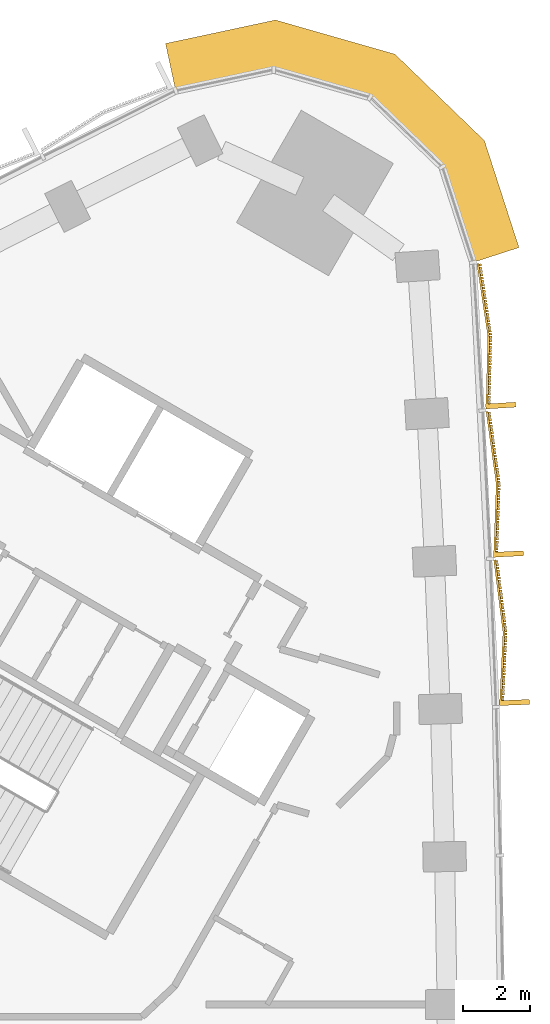
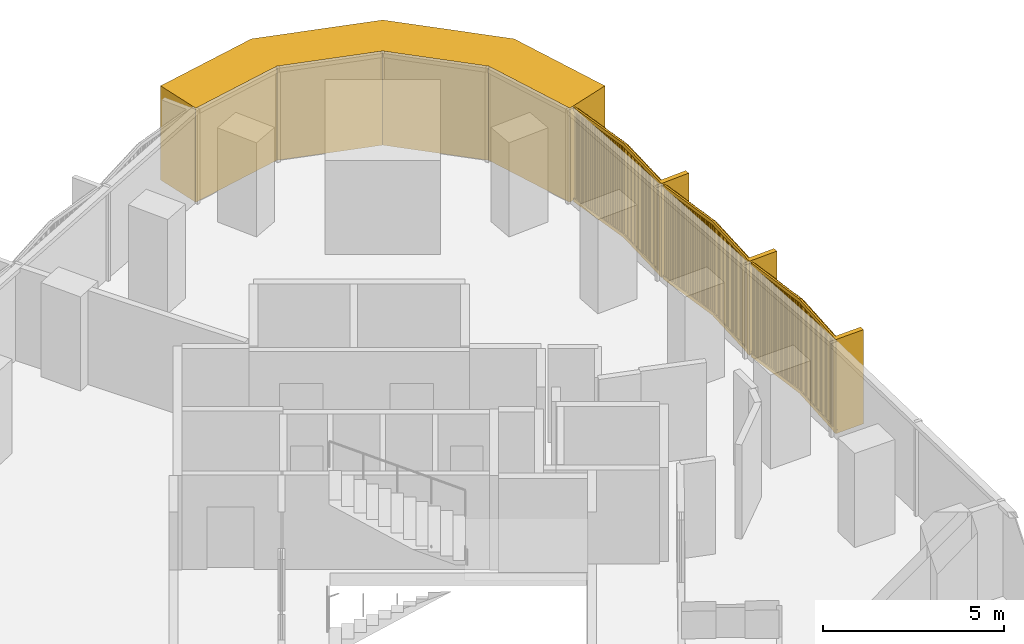
# One storey, part 15 of 15: 4 coverings.
"""IFC4 building model written with IfcOpenShell, lengths in metres."""

from ifc_helpers import new_model, si_unit, direction, frame, frame_2d, origin, place, context, subcontext, project, spatial, polyline, rectangle, outline, extrude, source, transform, mapped, material, layer, layer_set, type_object, element, save


model = new_model("IFC4")

# Units and contexts
model_context = context("Model", 3, precision=1e-05, world=origin(), true_north=direction((0.0, 1.0)))
body_context = subcontext(model_context, "Body", "Model", "MODEL_VIEW")
ifc_project = project(units=[si_unit("LENGTHUNIT", "METRE"), si_unit("AREAUNIT", "SQUARE_METRE"), si_unit("VOLUMEUNIT", "CUBIC_METRE"), si_unit("PLANEANGLEUNIT", "RADIAN"), si_unit("MASSUNIT", "GRAM", prefix="KILO")], contexts=[model_context])

# Site, building, storey
site_placement = place(None, origin())
site = spatial("IfcSite", under=ifc_project, at=site_placement, CompositionType="ELEMENT")
building_placement = place(site_placement, origin())
building = spatial("IfcBuilding", under=site, at=building_placement, Name="Tamra Quay Hotel Tower", CompositionType="ELEMENT")
storey_placement = place(building_placement, frame((0.0, 0.0, 86.60009765625)))
storey = spatial("IfcBuildingStorey", under=building, at=storey_placement, Name="L20", CompositionType="ELEMENT", Elevation=86.60009765625)

# Coverings
ifc_material_1 = material(Name="Precast concrete M60 terracotta-coloured", Category="masonry")
ifc_layer = layer(ifc_material_1, 1.449951171875)
ifc_layer_set = layer_set([ifc_layer], Name="CORNER PIER PANEL")
covering_type_1 = type_object("IfcCoveringType", Name="CORNER PIER PANEL", PredefinedType="CLADDING", material=ifc_layer_set)
covering_placement = place(storey_placement, origin())
element("IfcCovering", 1, at=covering_placement, inside=storey, type_object=covering_type_1, Name="Corner pier L20.east", PredefinedType="CLADDING", context=body_context, shape_type="SweptSolid", body=[
    extrude(outline(polyline([(21.41650390625, 26.762451171875), (22.7958984375, 27.208740234375), (21.756103515625, 30.423583984375), (19.066162109375, 33.0234375), (15.469482421875, 34.052978515625), (12.16552734375, 33.34619140625), (12.46875, 31.928466796875), (15.418701171875, 32.559326171875), (18.31884765625, 31.729248046875), (20.48779296875, 29.6328125), (21.41650390625, 26.762451171875)])), origin(), (0.0, 0.0, 1.0), 3.1748046875),
])
ifc_material_2 = material(Name="Terracotta baguette extruded", Category="masonry")
covering_type_2 = type_object("IfcCoveringType", Name="BAGUETTE SCREEN E-V H3175", PredefinedType="USERDEFINED", material=ifc_material_2)
shared_shape = source(origin(), body_context, "Body", "SweptSolid", [
    extrude(rectangle(XDim=2.200927734375, YDim=0.06005859375, at=frame_2d((1.1005859375, 0.030029296875))), frame((-2.19775390625, -0.057861328125, -0.1201171875), z_axis=(0.0, 0.0, 1.0), x_axis=(0.996194698092, -0.087155742748, 0.0)), (0.0, 0.0, 1.0), 0.1201171875),
    extrude(rectangle(XDim=2.200927734375, YDim=0.06005859375, at=frame_2d((1.1005859375, 0.030029296875))), frame((-2.19775390625, -0.057861328125, -3.175048828125), z_axis=(0.0, 0.0, 1.0), x_axis=(0.996194698092, -0.087155742748, 0.0)), (0.0, 0.0, 1.0), 0.1201171875),
    extrude(rectangle(XDim=0.070068359375, YDim=0.10009765625, at=frame_2d((0.03515625, 0.050048828125))), frame((-2.177734375, -0.13232421875, -3.114990234375)), (0.0, 0.0, 1.0), 3.054931640625),
    extrude(rectangle(XDim=0.070068359375, YDim=0.10009765625, at=frame_2d((0.03515625, 0.050048828125))), frame((-2.078125, -0.14111328125, -3.114990234375)), (0.0, 0.0, 1.0), 3.054931640625),
    extrude(rectangle(XDim=0.070068359375, YDim=0.10009765625, at=frame_2d((0.03515625, 0.050048828125))), frame((-1.978271484375, -0.14990234375, -3.114990234375)), (0.0, 0.0, 1.0), 3.054931640625),
    extrude(rectangle(XDim=0.070068359375, YDim=0.10009765625, at=frame_2d((0.03515625, 0.050048828125))), frame((-1.878662109375, -0.158447265625, -3.114990234375)), (0.0, 0.0, 1.0), 3.054931640625),
    extrude(rectangle(XDim=0.070068359375, YDim=0.10009765625, at=frame_2d((0.03515625, 0.050048828125))), frame((-1.779052734375, -0.167236328125, -3.114990234375)), (0.0, 0.0, 1.0), 3.054931640625),
    extrude(rectangle(XDim=0.070068359375, YDim=0.10009765625, at=frame_2d((0.03515625, 0.050048828125))), frame((-1.679443359375, -0.176025390625, -3.114990234375)), (0.0, 0.0, 1.0), 3.054931640625),
    extrude(rectangle(XDim=0.070068359375, YDim=0.10009765625, at=frame_2d((0.03515625, 0.050048828125))), frame((-1.579833984375, -0.1845703125, -3.114990234375)), (0.0, 0.0, 1.0), 3.054931640625),
    extrude(rectangle(XDim=0.070068359375, YDim=0.10009765625, at=frame_2d((0.03515625, 0.050048828125))), frame((-1.47998046875, -0.193359375, -3.114990234375)), (0.0, 0.0, 1.0), 3.054931640625),
    extrude(rectangle(XDim=0.070068359375, YDim=0.10009765625, at=frame_2d((0.03515625, 0.050048828125))), frame((-1.38037109375, -0.2021484375, -3.114990234375)), (0.0, 0.0, 1.0), 3.054931640625),
    extrude(rectangle(XDim=0.070068359375, YDim=0.10009765625, at=frame_2d((0.03515625, 0.050048828125))), frame((-1.28076171875, -0.2109375, -3.114990234375)), (0.0, 0.0, 1.0), 3.054931640625),
    extrude(rectangle(XDim=0.070068359375, YDim=0.10009765625, at=frame_2d((0.03515625, 0.050048828125))), frame((-1.18115234375, -0.219482421875, -3.114990234375)), (0.0, 0.0, 1.0), 3.054931640625),
    extrude(rectangle(XDim=0.070068359375, YDim=0.10009765625, at=frame_2d((0.03515625, 0.050048828125))), frame((-1.081298828125, -0.228271484375, -3.114990234375)), (0.0, 0.0, 1.0), 3.054931640625),
    extrude(rectangle(XDim=0.070068359375, YDim=0.10009765625, at=frame_2d((0.03515625, 0.050048828125))), frame((-0.981689453125, -0.237060546875, -3.114990234375)), (0.0, 0.0, 1.0), 3.054931640625),
    extrude(rectangle(XDim=0.070068359375, YDim=0.10009765625, at=frame_2d((0.03515625, 0.050048828125))), frame((-0.882080078125, -0.24560546875, -3.114990234375)), (0.0, 0.0, 1.0), 3.054931640625),
    extrude(rectangle(XDim=0.070068359375, YDim=0.10009765625, at=frame_2d((0.03515625, 0.050048828125))), frame((-0.782470703125, -0.25439453125, -3.114990234375)), (0.0, 0.0, 1.0), 3.054931640625),
    extrude(rectangle(XDim=0.070068359375, YDim=0.10009765625, at=frame_2d((0.03515625, 0.050048828125))), frame((-0.682861328125, -0.26318359375, -3.114990234375)), (0.0, 0.0, 1.0), 3.054931640625),
    extrude(rectangle(XDim=0.070068359375, YDim=0.10009765625, at=frame_2d((0.03515625, 0.050048828125))), frame((-0.583251953125, -0.27197265625, -3.114990234375)), (0.0, 0.0, 1.0), 3.054931640625),
    extrude(rectangle(XDim=0.070068359375, YDim=0.10009765625, at=frame_2d((0.03515625, 0.050048828125))), frame((-0.4833984375, -0.280517578125, -3.114990234375)), (0.0, 0.0, 1.0), 3.054931640625),
    extrude(rectangle(XDim=0.070068359375, YDim=0.10009765625, at=frame_2d((0.03515625, 0.050048828125))), frame((-0.3837890625, -0.289306640625, -3.114990234375)), (0.0, 0.0, 1.0), 3.054931640625),
    extrude(rectangle(XDim=0.070068359375, YDim=0.10009765625, at=frame_2d((0.03515625, 0.050048828125))), frame((-0.2841796875, -0.298095703125, -3.114990234375)), (0.0, 0.0, 1.0), 3.054931640625),
    extrude(rectangle(XDim=0.070068359375, YDim=0.10009765625, at=frame_2d((0.03515625, 0.050048828125))), frame((-0.1845703125, -0.306640625, -3.114990234375)), (0.0, 0.0, 1.0), 3.054931640625),
    extrude(rectangle(XDim=0.070068359375, YDim=0.10009765625, at=frame_2d((0.03515625, 0.050048828125))), frame((-0.084716796875, -0.3154296875, -3.114990234375)), (0.0, 0.0, 1.0), 3.054931640625),
    extrude(rectangle(XDim=2.200927734375, YDim=0.06005859375, at=frame_2d((1.1005859375, 0.030029296875))), frame((0.005126953125, -0.24951171875, -0.1201171875), z_axis=(0.0, 0.0, 1.0), x_axis=(0.996194698092, 0.087155742748, 0.0)), (0.0, 0.0, 1.0), 0.1201171875),
    extrude(rectangle(XDim=2.200927734375, YDim=0.06005859375, at=frame_2d((1.1005859375, 0.030029296875))), frame((0.005126953125, -0.24951171875, -3.175048828125), z_axis=(0.0, 0.0, 1.0), x_axis=(0.996194698092, 0.087155742748, 0.0)), (0.0, 0.0, 1.0), 0.1201171875),
    extrude(rectangle(XDim=0.070068359375, YDim=0.10009765625, at=frame_2d((0.03515625, 0.050048828125))), frame((0.014892578125, -0.3154296875, -3.114990234375)), (0.0, 0.0, 1.0), 3.054931640625),
    extrude(rectangle(XDim=0.070068359375, YDim=0.10009765625, at=frame_2d((0.03515625, 0.050048828125))), frame((0.114501953125, -0.306640625, -3.114990234375)), (0.0, 0.0, 1.0), 3.054931640625),
    extrude(rectangle(XDim=0.070068359375, YDim=0.10009765625, at=frame_2d((0.03515625, 0.050048828125))), frame((0.214111328125, -0.298095703125, -3.114990234375)), (0.0, 0.0, 1.0), 3.054931640625),
    extrude(rectangle(XDim=0.070068359375, YDim=0.10009765625, at=frame_2d((0.03515625, 0.050048828125))), frame((0.313720703125, -0.289306640625, -3.114990234375)), (0.0, 0.0, 1.0), 3.054931640625),
    extrude(rectangle(XDim=0.070068359375, YDim=0.10009765625, at=frame_2d((0.03515625, 0.050048828125))), frame((0.41357421875, -0.280517578125, -3.114990234375)), (0.0, 0.0, 1.0), 3.054931640625),
    extrude(rectangle(XDim=0.070068359375, YDim=0.10009765625, at=frame_2d((0.03515625, 0.050048828125))), frame((0.51318359375, -0.27197265625, -3.114990234375)), (0.0, 0.0, 1.0), 3.054931640625),
    extrude(rectangle(XDim=0.070068359375, YDim=0.10009765625, at=frame_2d((0.03515625, 0.050048828125))), frame((0.61279296875, -0.26318359375, -3.114990234375)), (0.0, 0.0, 1.0), 3.054931640625),
    extrude(rectangle(XDim=0.070068359375, YDim=0.10009765625, at=frame_2d((0.03515625, 0.050048828125))), frame((0.71240234375, -0.25439453125, -3.114990234375)), (0.0, 0.0, 1.0), 3.054931640625),
    extrude(rectangle(XDim=0.070068359375, YDim=0.10009765625, at=frame_2d((0.03515625, 0.050048828125))), frame((0.81201171875, -0.24560546875, -3.114990234375)), (0.0, 0.0, 1.0), 3.054931640625),
    extrude(rectangle(XDim=0.070068359375, YDim=0.10009765625, at=frame_2d((0.03515625, 0.050048828125))), frame((0.911865234375, -0.237060546875, -3.114990234375)), (0.0, 0.0, 1.0), 3.054931640625),
    extrude(rectangle(XDim=0.070068359375, YDim=0.10009765625, at=frame_2d((0.03515625, 0.050048828125))), frame((1.011474609375, -0.228271484375, -3.114990234375)), (0.0, 0.0, 1.0), 3.054931640625),
    extrude(rectangle(XDim=0.070068359375, YDim=0.10009765625, at=frame_2d((0.03515625, 0.050048828125))), frame((1.111083984375, -0.219482421875, -3.114990234375)), (0.0, 0.0, 1.0), 3.054931640625),
    extrude(rectangle(XDim=0.070068359375, YDim=0.10009765625, at=frame_2d((0.03515625, 0.050048828125))), frame((1.210693359375, -0.2109375, -3.114990234375)), (0.0, 0.0, 1.0), 3.054931640625),
    extrude(rectangle(XDim=0.070068359375, YDim=0.10009765625, at=frame_2d((0.03515625, 0.050048828125))), frame((1.310302734375, -0.2021484375, -3.114990234375)), (0.0, 0.0, 1.0), 3.054931640625),
    extrude(rectangle(XDim=0.070068359375, YDim=0.10009765625, at=frame_2d((0.03515625, 0.050048828125))), frame((1.41015625, -0.193359375, -3.114990234375)), (0.0, 0.0, 1.0), 3.054931640625),
    extrude(rectangle(XDim=0.070068359375, YDim=0.10009765625, at=frame_2d((0.03515625, 0.050048828125))), frame((1.509765625, -0.1845703125, -3.114990234375)), (0.0, 0.0, 1.0), 3.054931640625),
    extrude(rectangle(XDim=0.070068359375, YDim=0.10009765625, at=frame_2d((0.03515625, 0.050048828125))), frame((1.609375, -0.176025390625, -3.114990234375)), (0.0, 0.0, 1.0), 3.054931640625),
    extrude(rectangle(XDim=0.070068359375, YDim=0.10009765625, at=frame_2d((0.03515625, 0.050048828125))), frame((1.708984375, -0.167236328125, -3.114990234375)), (0.0, 0.0, 1.0), 3.054931640625),
    extrude(rectangle(XDim=0.070068359375, YDim=0.10009765625, at=frame_2d((0.03515625, 0.050048828125))), frame((1.80859375, -0.158447265625, -3.114990234375)), (0.0, 0.0, 1.0), 3.054931640625),
    extrude(rectangle(XDim=0.070068359375, YDim=0.10009765625, at=frame_2d((0.03515625, 0.050048828125))), frame((1.908447265625, -0.14990234375, -3.114990234375)), (0.0, 0.0, 1.0), 3.054931640625),
    extrude(rectangle(XDim=0.070068359375, YDim=0.10009765625, at=frame_2d((0.03515625, 0.050048828125))), frame((2.008056640625, -0.14111328125, -3.114990234375)), (0.0, 0.0, 1.0), 3.054931640625),
    extrude(rectangle(XDim=0.070068359375, YDim=0.10009765625, at=frame_2d((0.03515625, 0.050048828125))), frame((2.107666015625, -0.13232421875, -3.114990234375)), (0.0, 0.0, 1.0), 3.054931640625),
    extrude(rectangle(XDim=0.14990234375, YDim=0.902099609375, at=frame_2d((0.074951171875, 0.451171875))), frame((-2.1923828125, -0.89990234375, -3.175048828125)), (0.0, 0.0, 1.0), 3.175048828125),
])
for number, where, z_axis, x_axis, name in (
    (2, (22.122314453125, 15.623779296875, 3.1748046875), (0.0, 0.0, 1.0), (-0.039943755239, 0.999201929751, 0.0), "Baguette screen L20.E.f09"),
    (3, (21.91845703125, 20.084228515625, 3.1748046875), (0.0, 0.0, 1.0), (-0.051320550821, 0.998682232276, 0.0), "Baguette screen L20.E.f10"),
    (4, (21.6640625, 24.5419921875, 3.1748046875), (0.0, 0.0, 1.0), (-0.062670105733, 0.998034296929, 0.0), "Baguette screen L20.E.f11"),
):
    element("IfcCovering", number, at=place(storey_placement, frame(where, z_axis=z_axis, x_axis=x_axis)), inside=storey, type_object=covering_type_2, Name=name, ObjectType="BAGUETTE SCREEN", PredefinedType="USERDEFINED", context=body_context, shape_type="MappedRepresentation", body=[
        mapped(shared_shape, transform((0.0, 0.0, 0.0), scale=1.0)),
    ])

save(model, "model.ifc")
